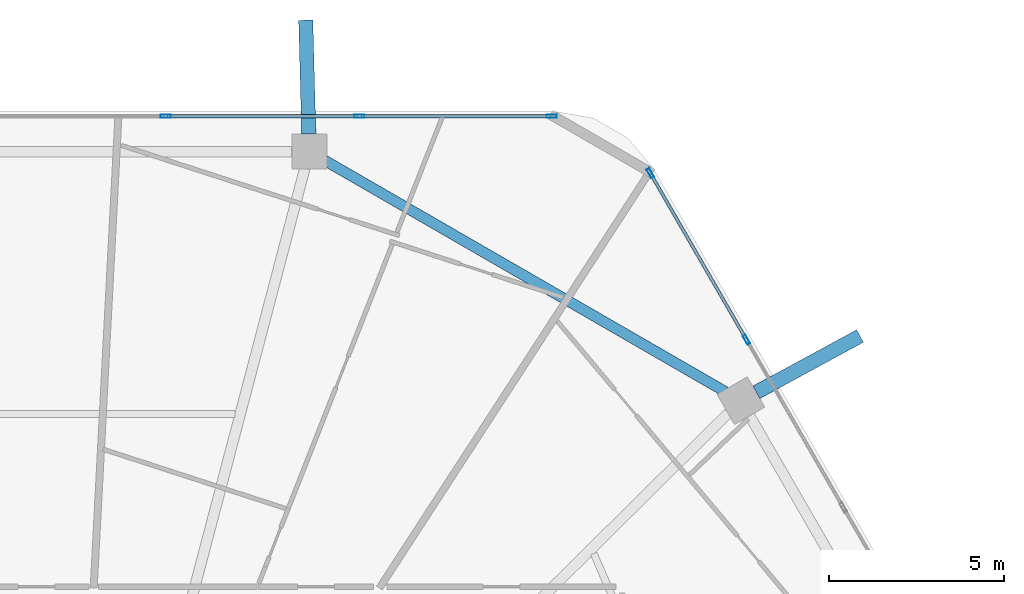
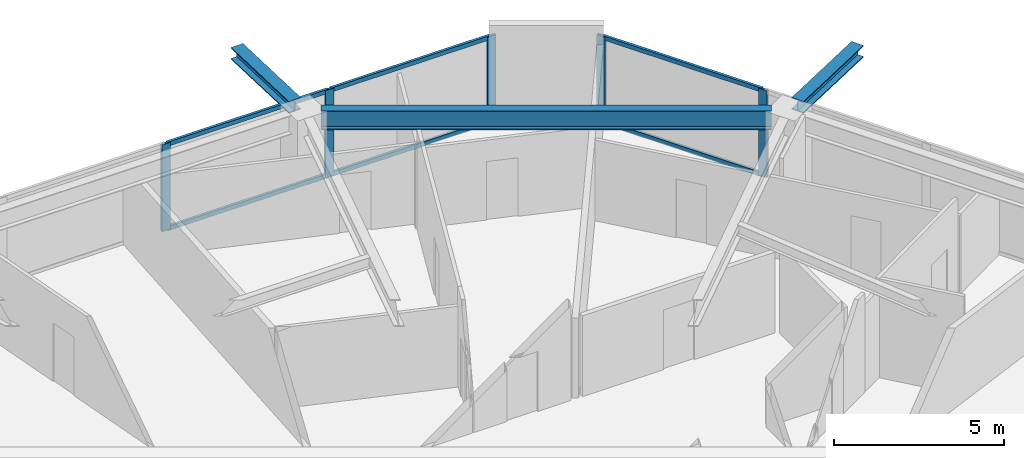
# One storey, part 15 of 26: 11 members, 3 beams, 2 elements without a shape of their own.
"""IFC4 building model written with IfcOpenShell, lengths in metres."""

from ifc_helpers import new_model, si_unit, direction, frame, origin, origin_2d, place, context, subcontext, project, spatial, hollow_rectangle, i_section, extrude, material, material_profile, profile_set, type_object, element, aggregate, save


model = new_model("IFC4")

# Units and contexts
model_context = context("Model", 3, precision=1e-05, world=origin(), true_north=direction((0.0, 1.0)))
body_context = subcontext(model_context, "Body", "Model", "MODEL_VIEW")
ifc_project = project(units=[si_unit("LENGTHUNIT", "METRE"), si_unit("AREAUNIT", "SQUARE_METRE"), si_unit("VOLUMEUNIT", "CUBIC_METRE"), si_unit("PLANEANGLEUNIT", "RADIAN"), si_unit("MASSUNIT", "GRAM", prefix="KILO")], contexts=[model_context])

# Site, building, storey
site_placement = place(None, origin())
site = spatial("IfcSite", under=ifc_project, at=site_placement, CompositionType="ELEMENT")
building_placement = place(site_placement, origin())
building = spatial("IfcBuilding", under=site, at=building_placement, Name="Zuhravey Tower", CompositionType="ELEMENT")
storey_placement = place(building_placement, frame((0.0, 0.0, 165.60009765625)))
storey = spatial("IfcBuildingStorey", under=building, at=storey_placement, Name="L41", CompositionType="ELEMENT", Elevation=165.60009765625)

# Curtain wall, members
ifc_material_1 = material(Name="Thermally broken anodised aluminium", Category="aluminium")
curtain_wall_type = type_object("IfcCurtainWallType", Name="Zone 1-2 Residential Curtain Wall CW3", PredefinedType="NOTDEFINED", material=ifc_material_1)
curtain_wall_1_placement = place(storey_placement, origin())
curtain_wall_1 = element("IfcCurtainWall", 1, at=curtain_wall_1_placement, inside=storey, type_object=curtain_wall_type, Name="L41 CW3 CW-L41-F2-1", PredefinedType="NOTDEFINED")
ifc_material_2 = material(Name="Anodised aluminium", Category="aluminium")
ifc_material_profile_1 = material_profile(ifc_material_2, hollow_rectangle(XDim=0.090087890625, YDim=0.284912109375, WallThickness=0.0048828125, at=origin_2d()), Name="ALU-RHS-90x285x5")
ifc_profile_set_1 = profile_set([ifc_material_profile_1], Name="Anodised aluminium")
member_type_1 = type_object("IfcMemberType", Name="Curtain-Wall Mullion 90x180", PredefinedType="MULLION", material=ifc_profile_set_1)
member_1_placement = place(storey_placement, frame((38.772216796875, 59.18310546875, 0.0), z_axis=(0.0, 0.0, 1.0), x_axis=(0.0, 1.0, 0.0)))
member_1 = element("IfcMember", 2, at=member_1_placement, type_object=member_type_1, Name="CW3 mullion 4", PredefinedType="MULLION", context=body_context, shape_type="SweptSolid", body=[
    extrude(hollow_rectangle(XDim=0.090087890625, YDim=0.284912109375, WallThickness=0.0048828125, at=origin_2d()), origin(), (0.0, 0.0, 1.0), 3.121826171875),
])
member_2_placement = place(storey_placement, frame((44.316650390625, 59.18310546875, 0.0), z_axis=(0.0, 0.0, 1.0), x_axis=(0.0, 1.0, 0.0)))
member_2 = element("IfcMember", 3, at=member_2_placement, type_object=member_type_1, Name="CW3 mullion 5", PredefinedType="MULLION", context=body_context, shape_type="SweptSolid", body=[
    extrude(hollow_rectangle(XDim=0.090087890625, YDim=0.284912109375, WallThickness=0.0048828125, at=origin_2d()), origin(), (0.0, 0.0, 1.0), 3.121826171875),
])
member_3_placement = place(storey_placement, frame((49.816162109375, 59.18310546875, 0.0), z_axis=(0.0, 0.0, 1.0), x_axis=(0.0, 1.0, 0.0)))
member_3 = element("IfcMember", 4, at=member_3_placement, type_object=member_type_1, Name="CW3 mullion 6", PredefinedType="MULLION", context=body_context, shape_type="SweptSolid", body=[
    extrude(hollow_rectangle(XDim=0.090087890625, YDim=0.284912109375, WallThickness=0.0048828125, at=origin_2d()), origin(), (0.0, 0.0, 1.0), 3.121826171875),
])

curtain_wall_2_placement = place(storey_placement, origin())
curtain_wall_2 = element("IfcCurtainWall", 5, at=curtain_wall_2_placement, inside=storey, type_object=curtain_wall_type, Name="L41 CW3 CW-L41-F1-1", PredefinedType="NOTDEFINED")
member_4_placement = place(storey_placement, frame((52.63330078125, 57.556640625, 0.0), z_axis=(0.0, 0.0, 1.0), x_axis=(0.866025138215, 0.500000459979, 0.0)))
member_4 = element("IfcMember", 6, at=member_4_placement, type_object=member_type_1, Name="CW3 mullion 1", PredefinedType="MULLION", context=body_context, shape_type="SweptSolid", body=[
    extrude(hollow_rectangle(XDim=0.090087890625, YDim=0.284912109375, WallThickness=0.0048828125, at=origin_2d()), origin(), (0.0, 0.0, 1.0), 3.121826171875),
])
member_5_placement = place(storey_placement, frame((55.3828125, 52.7939453125, 0.0), z_axis=(0.0, 0.0, 1.0), x_axis=(0.866025138215, 0.500000459979, 0.0)))
member_5 = element("IfcMember", 7, at=member_5_placement, type_object=member_type_1, Name="CW3 mullion 2", PredefinedType="MULLION", context=body_context, shape_type="SweptSolid", body=[
    extrude(hollow_rectangle(XDim=0.090087890625, YDim=0.284912109375, WallThickness=0.0048828125, at=origin_2d()), origin(), (0.0, 0.0, 1.0), 3.121826171875),
])

# Member
ifc_material_profile_2 = material_profile(ifc_material_2, hollow_rectangle(XDim=0.090087890625, YDim=0.14990234375, WallThickness=0.0048828125, at=origin_2d()), Name="ALU-RHS-90x150x5")
ifc_profile_set_2 = profile_set([ifc_material_profile_2], Name="Anodised aluminium")
member_type_2 = type_object("IfcMemberType", Name="Curtain-Wall Transom 90x150", PredefinedType="USERDEFINED", material=ifc_profile_set_2)
member_6_placement = place(storey_placement, frame((38.817138671875, 59.18310546875, 0.044921875), z_axis=(1.0, 0.0, 0.0), x_axis=(0.0, 1.0, 0.0)))
member_6 = element("IfcMember", 8, at=member_6_placement, type_object=member_type_2, Name="CW3 transom 4.1", ObjectType="TRANSOM", PredefinedType="USERDEFINED", context=body_context, shape_type="SweptSolid", body=[
    extrude(hollow_rectangle(XDim=0.090087890625, YDim=0.14990234375, WallThickness=0.0048828125, at=origin_2d()), origin(), (0.0, 0.0, 1.0), 5.45458984375),
])

member_7_placement = place(storey_placement, frame((38.817138671875, 59.18310546875, 3.076904296875), z_axis=(1.0, 0.0, 0.0), x_axis=(0.0, 1.0, 0.0)))
member_7 = element("IfcMember", 9, at=member_7_placement, type_object=member_type_2, Name="CW3 transom 4.2", ObjectType="TRANSOM", PredefinedType="USERDEFINED", context=body_context, shape_type="SweptSolid", body=[
    extrude(hollow_rectangle(XDim=0.090087890625, YDim=0.14990234375, WallThickness=0.0048828125, at=origin_2d()), origin(), (0.0, 0.0, 1.0), 5.45458984375),
])

member_8_placement = place(storey_placement, frame((44.361572265625, 59.18310546875, 0.044921875), z_axis=(1.0, 0.0, 0.0), x_axis=(0.0, 1.0, 0.0)))
member_8 = element("IfcMember", 10, at=member_8_placement, type_object=member_type_2, Name="CW3 transom 5.1", ObjectType="TRANSOM", PredefinedType="USERDEFINED", context=body_context, shape_type="SweptSolid", body=[
    extrude(hollow_rectangle(XDim=0.090087890625, YDim=0.14990234375, WallThickness=0.0048828125, at=origin_2d()), origin(), (0.0, 0.0, 1.0), 5.409423828125),
])

member_9_placement = place(storey_placement, frame((44.361572265625, 59.18310546875, 3.076904296875), z_axis=(1.0, 0.0, 0.0), x_axis=(0.0, 1.0, 0.0)))
member_9 = element("IfcMember", 11, at=member_9_placement, type_object=member_type_2, Name="CW3 transom 5.2", ObjectType="TRANSOM", PredefinedType="USERDEFINED", context=body_context, shape_type="SweptSolid", body=[
    extrude(hollow_rectangle(XDim=0.090087890625, YDim=0.14990234375, WallThickness=0.0048828125, at=origin_2d()), origin(), (0.0, 0.0, 1.0), 5.409423828125),
])

aggregate(curtain_wall_1, [member_1, member_2, member_3, member_6, member_7, member_8, member_9])

member_10_placement = place(storey_placement, frame((52.65576171875, 57.517578125, 0.044921875), z_axis=(0.499993332629, -0.866029253159, 0.0), x_axis=(0.866029253159, 0.499993332629, 0.0)))
member_10 = element("IfcMember", 12, at=member_10_placement, type_object=member_type_2, Name="CW3 transom 1.1", ObjectType="TRANSOM", PredefinedType="USERDEFINED", context=body_context, shape_type="SweptSolid", body=[
    extrude(hollow_rectangle(XDim=0.090087890625, YDim=0.14990234375, WallThickness=0.0048828125, at=origin_2d()), origin(), (0.0, 0.0, 1.0), 5.4091796875),
])

member_11_placement = place(storey_placement, frame((52.65576171875, 57.517578125, 3.076904296875), z_axis=(0.499993332629, -0.866029253159, 0.0), x_axis=(0.866029253159, 0.499993332629, 0.0)))
member_11 = element("IfcMember", 13, at=member_11_placement, type_object=member_type_2, Name="CW3 transom 1.2", ObjectType="TRANSOM", PredefinedType="USERDEFINED", context=body_context, shape_type="SweptSolid", body=[
    extrude(hollow_rectangle(XDim=0.090087890625, YDim=0.14990234375, WallThickness=0.0048828125, at=origin_2d()), origin(), (0.0, 0.0, 1.0), 5.4091796875),
])

aggregate(curtain_wall_2, [member_4, member_5, member_10, member_11])

# Beams
ifc_material_3 = material(Name="Steel SM460", Category="steel")
ifc_material_profile_3 = material_profile(ifc_material_3, i_section(OverallWidth=0.406982421875, OverallDepth=0.427978515625, WebThickness=0.02001953125, FlangeThickness=0.034912109375, at=origin_2d()), Name="H-428x407x20x35")
ifc_profile_set_3 = profile_set([ifc_material_profile_3], Name="Steel SM460")
beam_type_1 = type_object("IfcBeamType", Name="Exoskeleton Node Tie Beam H428x407", PredefinedType="BEAM", material=ifc_profile_set_3)
beam_1_placement = place(storey_placement, frame((55.66845703125, 51.287353515625, 3.3359375), z_axis=(0.878768420678, 0.477248428828, 0.0), x_axis=(-0.477248428828, 0.878768420678, 0.0)))
element("IfcBeam", 14, at=beam_1_placement, inside=storey, type_object=beam_type_1, Name="L41 Exoskeleton Node Tie NT1-02", PredefinedType="BEAM", context=body_context, shape_type="SweptSolid", body=[
    extrude(i_section(OverallWidth=0.406982421875, OverallDepth=0.427978515625, WebThickness=0.02001953125, FlangeThickness=0.034912109375, at=origin_2d()), origin(), (0.0, 0.0, 1.0), 3.372314453125),
])
beam_2_placement = place(storey_placement, frame((42.868408203125, 58.677001953125, 3.3359375), z_axis=(-0.02672320059, 0.999642871505, 0.0), x_axis=(-0.999642871505, -0.02672320059, 0.0)))
element("IfcBeam", 15, at=beam_2_placement, inside=storey, type_object=beam_type_1, Name="L41 Exoskeleton Node Tie NT1-03", PredefinedType="BEAM", context=body_context, shape_type="SweptSolid", body=[
    extrude(i_section(OverallWidth=0.406982421875, OverallDepth=0.427978515625, WebThickness=0.02001953125, FlangeThickness=0.034912109375, at=origin_2d()), origin(), (0.0, 0.0, 1.0), 3.25244140625),
])
ifc_material_4 = material(Name="Steel SM355", Category="steel")
ifc_material_profile_4 = material_profile(ifc_material_4, i_section(OverallWidth=0.300048828125, OverallDepth=0.679931640625, WebThickness=0.012939453125, FlangeThickness=0.02197265625, at=origin_2d()), Name="H-680x300x13x22")
ifc_profile_set_4 = profile_set([ifc_material_profile_4], Name="Steel SM355")
beam_type_2 = type_object("IfcBeamType", Name="Perimeter Ring Beam H680x300", PredefinedType="BEAM", material=ifc_profile_set_4)
beam_3_placement = place(storey_placement, frame((54.789794921875, 51.298095703125, 3.2099609375), z_axis=(-0.866022923061, 0.500004296715, 0.0), x_axis=(-0.500004296715, -0.866022923061, 0.0)))
element("IfcBeam", 16, at=beam_3_placement, inside=storey, type_object=beam_type_2, Name="L41 PB2 BM-L41-PB-02", PredefinedType="BEAM", context=body_context, shape_type="SweptSolid", body=[
    extrude(i_section(OverallWidth=0.300048828125, OverallDepth=0.679931640625, WebThickness=0.012939453125, FlangeThickness=0.02197265625, at=origin_2d()), origin(), (0.0, 0.0, 1.0), 13.2470703125),
])

save(model, "model.ifc")
